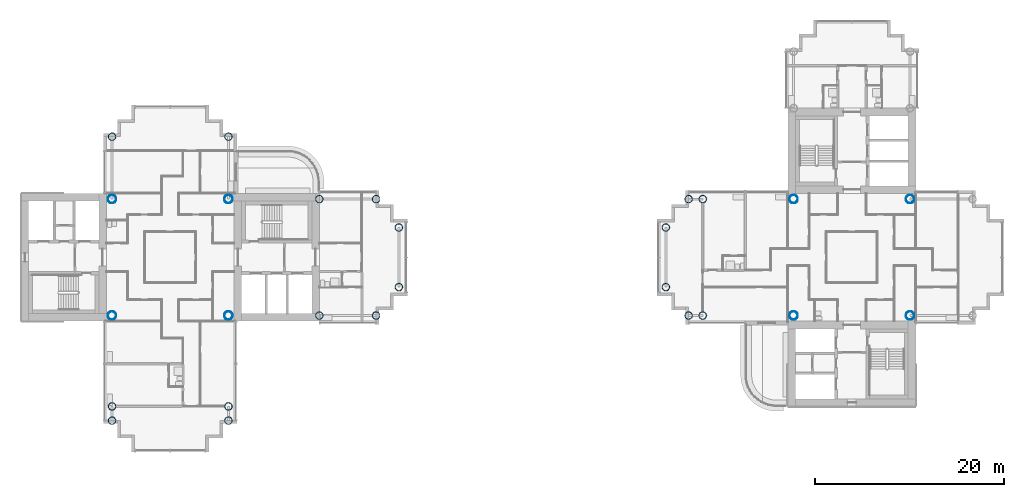
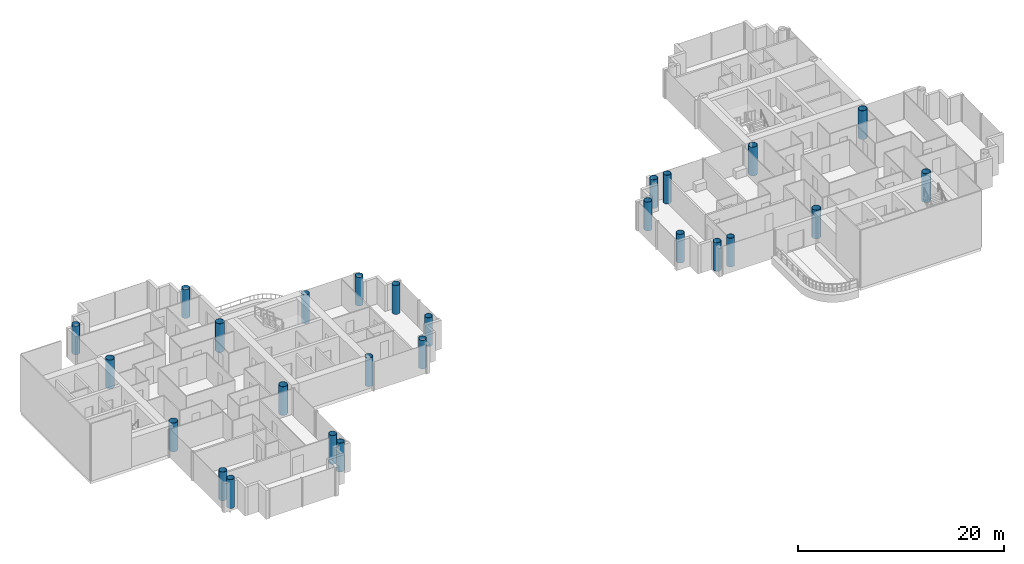
# One storey, part 1 of 19: 26 columns.
"""IFC4 building model written with IfcOpenShell, lengths in metres."""

from ifc_helpers import new_model, si_unit, direction, frame, origin, origin_2d, place, context, subcontext, project, spatial, hollow_circle, extrude, material, material_profile, profile_set, type_object, element, save


model = new_model("IFC4")

# Units and contexts
model_context = context("Model", 3, precision=1e-05, world=origin(), true_north=direction((0.0, 1.0)))
body_context = subcontext(model_context, "Body", "Model", "MODEL_VIEW")
ifc_project = project(units=[si_unit("LENGTHUNIT", "METRE"), si_unit("AREAUNIT", "SQUARE_METRE"), si_unit("VOLUMEUNIT", "CUBIC_METRE"), si_unit("PLANEANGLEUNIT", "RADIAN"), si_unit("MASSUNIT", "GRAM", prefix="KILO")], contexts=[model_context])

# Site, building, storey
site_placement = place(None, origin())
site = spatial("IfcSite", under=ifc_project, at=site_placement, CompositionType="ELEMENT")
building_placement = place(site_placement, origin())
building = spatial("IfcBuilding", under=site, at=building_placement, Name="Ipe Terrace Towers", CompositionType="ELEMENT")
storey_placement = place(building_placement, frame((0.0, 0.0, 174.5)))
storey = spatial("IfcBuildingStorey", under=building, at=storey_placement, Name="L48", CompositionType="ELEMENT", Elevation=174.5)

# Columns
ifc_material_1 = material(Name="Steel S355 tube with Concrete C60/75 fill", Category="concrete")
ifc_material_profile_1 = material_profile(ifc_material_1, hollow_circle(Radius=0.39990234375, WallThickness=0.028076171875, at=origin_2d()), Name="CHS-800x28")
ifc_profile_set_1 = profile_set([ifc_material_profile_1], Name="Steel S355 tube with Concrete C60/75 fill")
column_type_1 = type_object("IfcColumnType", Name="CH09 COLUMN CHS-800x28", PredefinedType="COLUMN", material=ifc_profile_set_1)
for number, where, z_axis, x_axis, name in (
    (1, (-20.25, -6.14990234375, 0.0), (0.0, 0.0, 1.0), (1.0, 0.0, 0.0), "Column T1-C-A01"),
    (2, (-20.25, 6.14990234375, 0.0), (0.0, 0.0, 1.0), (1.0, 0.0, 0.0), "Column T1-C-A02"),
    (3, (-14.25, -6.14990234375, 0.0), (0.0, 0.0, 1.0), (1.0, 0.0, 0.0), "Column T1-C-A03"),
    (4, (-14.25, 6.14990234375, 0.0), (0.0, 0.0, 1.0), (1.0, 0.0, 0.0), "Column T1-C-A04"),
    (5, (-11.85009765625, -3.14990234375, 0.0), (0.0, 0.0, 1.0), (1.0, 0.0, 0.0), "Column T1-C-A05"),
    (6, (-11.85009765625, 3.14990234375, 0.0), (0.0, 0.0, 1.0), (1.0, 0.0, 0.0), "Column T1-C-A06"),
    (7, (-29.85009765625, 12.75, 0.0), (0.0, 0.0, 1.0), (1.0, 0.0, 0.0), "Column T1-C-B01"),
    (8, (-42.14990234375, 12.75, 0.0), (0.0, 0.0, 1.0), (1.0, 0.0, 0.0), "Column T1-C-B02"),
    (9, (-42.14990234375, -15.75, 0.0), (0.0, 0.0, 1.0), (1.0, 0.0, 0.0), "Column T1-C-D03"),
    (10, (-29.85009765625, -15.75, 0.0), (0.0, 0.0, 1.0), (1.0, 0.0, 0.0), "Column T1-C-D04"),
    (11, (-42.14990234375, -17.25, 0.0), (0.0, 0.0, 1.0), (1.0, 0.0, 0.0), "Column T1-C-D05"),
    (12, (-29.85009765625, -17.25, 0.0), (0.0, 0.0, 1.0), (1.0, 0.0, 0.0), "Column T1-C-D06"),
    (13, (20.25, 6.14990234375, 0.0), (0.0, 0.0, 1.0), (1.0, 0.0, 0.0), "Column T2-C-B03"),
    (14, (20.25, -6.14990234375, 0.0), (0.0, 0.0, 1.0), (1.0, 0.0, 0.0), "Column T2-C-B04"),
    (15, (18.75, 6.14990234375, 0.0), (0.0, 0.0, 1.0), (1.0, 0.0, 0.0), "Column T2-C-B05"),
    (16, (18.75, -6.14990234375, 0.0), (0.0, 0.0, 1.0), (1.0, 0.0, 0.0), "Column T2-C-B06"),
    (17, (16.35009765625, 3.14990234375, 0.0), (0.0, 0.0, 1.0), (1.0, 0.0, 0.0), "Column T2-C-B07"),
    (18, (16.35009765625, -3.14990234375, 0.0), (0.0, 0.0, 1.0), (1.0, 0.0, 0.0), "Column T2-C-B08"),
):
    element("IfcColumn", number, at=place(storey_placement, frame(where, z_axis=z_axis, x_axis=x_axis)), inside=storey, type_object=column_type_1, Name=name, PredefinedType="COLUMN", context=body_context, shape_type="SweptSolid", body=[
        extrude(hollow_circle(Radius=0.39990234375, WallThickness=0.028076171875, at=origin_2d()), origin(), (0.0, 0.0, 1.0), 3.39990234375),
    ])
ifc_material_2 = material(Name="Steel S355 tube with Concrete C60/75 fill", Category="concrete")
ifc_material_profile_2 = material_profile(ifc_material_2, hollow_circle(Radius=0.449951171875, WallThickness=0.031982421875, at=origin_2d()), Name="CHS-900x32")
ifc_profile_set_2 = profile_set([ifc_material_profile_2], Name="Steel S355 tube with Concrete C60/75 fill")
column_type_2 = type_object("IfcColumnType", Name="CH10 COLUMN CHS-900x32", PredefinedType="COLUMN", material=ifc_profile_set_2)
for number, where, z_axis, x_axis, name in (
    (19, (-42.14990234375, -6.14990234375, 0.0), (0.0, 0.0, 1.0), (1.0, 0.0, 0.0), "Column T1-C-E01"),
    (20, (-29.85009765625, -6.14990234375, 0.0), (0.0, 0.0, 1.0), (1.0, 0.0, 0.0), "Column T1-C-E02"),
    (21, (-29.85009765625, 6.14990234375, 0.0), (0.0, 0.0, 1.0), (1.0, 0.0, 0.0), "Column T1-C-E03"),
    (22, (-42.14990234375, 6.14990234375, 0.0), (0.0, 0.0, 1.0), (1.0, 0.0, 0.0), "Column T1-C-E04"),
    (23, (42.14990234375, -6.14990234375, 0.0), (0.0, 0.0, 1.0), (1.0, 0.0, 0.0), "Column T2-C-E01"),
    (24, (42.14990234375, 6.14990234375, 0.0), (0.0, 0.0, 1.0), (1.0, 0.0, 0.0), "Column T2-C-E02"),
    (25, (29.85009765625, 6.14990234375, 0.0), (0.0, 0.0, 1.0), (1.0, 0.0, 0.0), "Column T2-C-E03"),
    (26, (29.85009765625, -6.14990234375, 0.0), (0.0, 0.0, 1.0), (1.0, 0.0, 0.0), "Column T2-C-E04"),
):
    element("IfcColumn", number, at=place(storey_placement, frame(where, z_axis=z_axis, x_axis=x_axis)), inside=storey, type_object=column_type_2, Name=name, PredefinedType="COLUMN", context=body_context, shape_type="SweptSolid", body=[
        extrude(hollow_circle(Radius=0.449951171875, WallThickness=0.031982421875, at=origin_2d()), origin(), (0.0, 0.0, 1.0), 3.39990234375),
    ])

save(model, "model.ifc")
